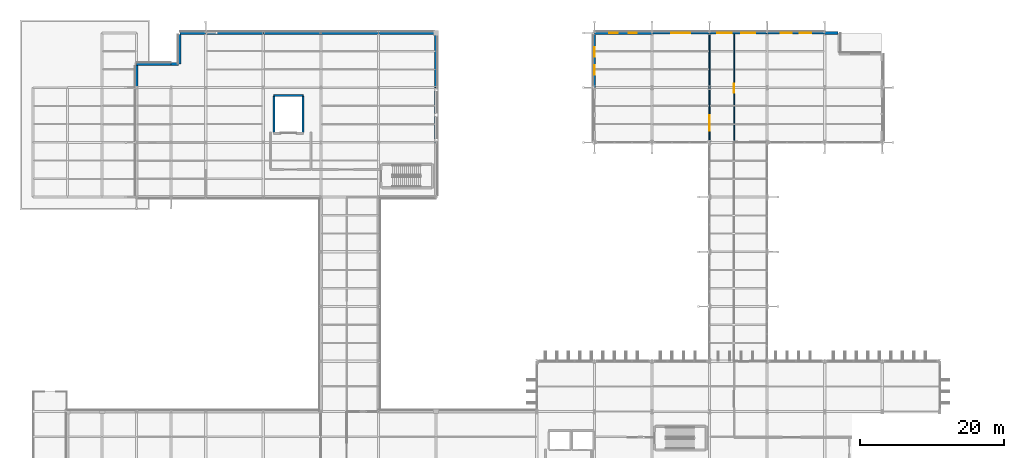
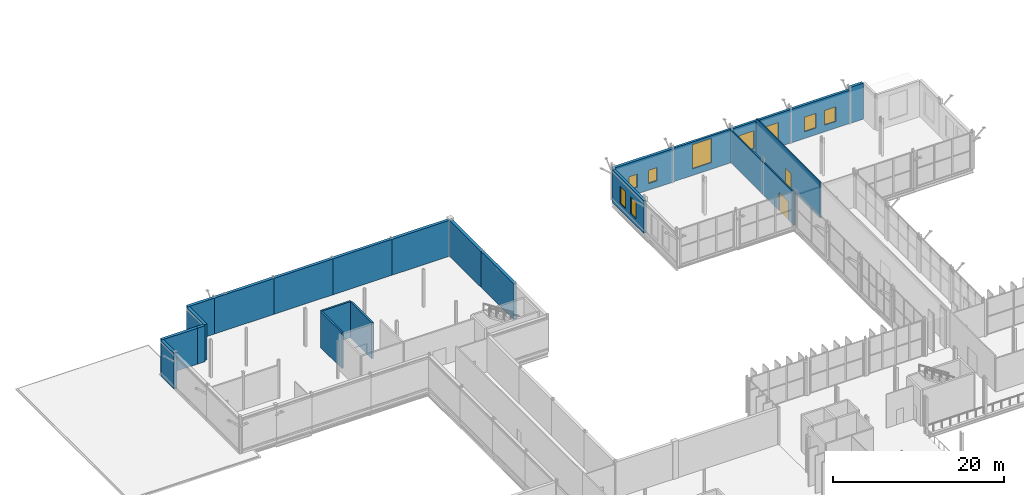
# One storey, part 129 of 147: 22 walls, 9 windows, 2 doors, 11 openings.
"""IFC4 building model written with IfcOpenShell, lengths in metres."""

from ifc_helpers import new_model, si_unit, direction, frame, frame_2d, origin, place, context, subcontext, project, spatial, rectangle, extrude, material, layer, layer_set, type_object, element, fill, save


model = new_model("IFC4")

# Units and contexts
model_context = context("Model", 3, precision=1e-05, world=origin(), true_north=direction((0.0, 1.0)))
body_context = subcontext(model_context, "Body", "Model", "MODEL_VIEW")
ifc_project = project(units=[si_unit("LENGTHUNIT", "METRE"), si_unit("AREAUNIT", "SQUARE_METRE"), si_unit("VOLUMEUNIT", "CUBIC_METRE"), si_unit("PLANEANGLEUNIT", "RADIAN"), si_unit("MASSUNIT", "GRAM", prefix="KILO")], contexts=[model_context])

# Site, building, storey
site_placement = place(None, origin())
site = spatial("IfcSite", under=ifc_project, at=site_placement, CompositionType="ELEMENT")
building_placement = place(site_placement, origin())
building = spatial("IfcBuilding", under=site, at=building_placement, Name="Vekula Escarpment Museum", CompositionType="ELEMENT")
storey_placement = place(building_placement, frame((0.0, 0.0, 7.800048828125)))
storey = spatial("IfcBuildingStorey", under=building, at=storey_placement, Name="L02", CompositionType="ELEMENT", Elevation=7.800048828125)

# Wall, opening, window
ifc_material_1 = material(Name="Inkisi arkosic sandstone masonry", Category="masonry")
ifc_layer_1 = layer(ifc_material_1, 0.300048828125)
ifc_layer_set_1 = layer_set([ifc_layer_1], Name="Inkisi arkosic sandstone masonry")
wall_type_1 = type_object("IfcWallType", Name="WL-ALM-300", PredefinedType="SOLIDWALL", material=ifc_layer_set_1)
wall_1_placement = place(storey_placement, frame((86.0, 136.0, 0.0), z_axis=(0.0, 0.0, 1.0), x_axis=(1.0, 0.0, 0.0)))
wall_1 = element("IfcWall", 1, at=wall_1_placement, inside=storey, type_object=wall_type_1, Name="Exterior Wall WL-EXT-L02-0451", PredefinedType="SOLIDWALL", context=body_context, shape_type="SweptSolid", body=[
    extrude(rectangle(XDim=8.0, YDim=0.300048828125, at=frame_2d((4.0, 0.0))), origin(), (0.0, 0.0, 1.0), 4.794921875),
])
opening_1_placement = place(wall_1_placement, frame((2.699951171875, 0.0, 0.949951171875)))
opening_1 = element("IfcOpeningElement", 2, at=opening_1_placement, cuts=wall_1, Name="Opening WN-28", PredefinedType="OPENING", context=body_context, shape_type="SweptSolid", body=[
    extrude(rectangle(XDim=2.60009765625, YDim=3.449951171875, at=frame_2d((1.300048828125, 1.72509765625))), frame((0.0, 0.159912109375, 0.0), z_axis=(0.0, -1.0, 0.0), x_axis=(1.0, 0.0, 0.0)), (0.0, 0.0, 1.0), 0.320068359375),
])
ifc_material_2 = material(Name="Double solar-control low-E glass", Category="glass")
window_type_1 = type_object("IfcWindowType", Name="WN-GAL-26x38", PartitioningType="TRIPLE_PANEL_VERTICAL", PredefinedType="WINDOW", material=ifc_material_2)
window_1_placement = place(opening_1_placement, origin())
window_1 = element("IfcWindow", 3, at=window_1_placement, inside=storey, type_object=window_type_1, Name="Window L02-0230", OverallHeight=3.449951171875, OverallWidth=2.60009765625, PartitioningType="SINGLE_PANEL", PredefinedType="WINDOW", context=body_context, shape_type="SweptSolid", body=[
    extrude(rectangle(XDim=2.60009765625, YDim=3.449951171875, at=frame_2d((1.300048828125, 1.72509765625))), frame((0.0, 0.030029296875, 0.0), z_axis=(0.0, -1.0, 0.0), x_axis=(1.0, 0.0, 0.0)), (0.0, 0.0, 1.0), 0.06005859375),
])
fill(opening_1, window_1)

# Wall, openings, windows
ifc_material_3 = material(Name="Inkisi arkosic sandstone masonry", Category="masonry")
ifc_layer_2 = layer(ifc_material_3, 0.320068359375)
ifc_layer_set_2 = layer_set([ifc_layer_2], Name="Inkisi arkosic sandstone masonry")
wall_type_2 = type_object("IfcWallType", Name="WL-ALM-320", PredefinedType="SOLIDWALL", material=ifc_layer_set_2)
wall_2_placement = place(storey_placement, frame((94.0, 136.0, 0.0), z_axis=(0.0, 0.0, 1.0), x_axis=(1.0, 0.0, 0.0)))
wall_2 = element("IfcWall", 4, at=wall_2_placement, inside=storey, type_object=wall_type_2, Name="Exterior Wall WL-EXT-L02-0450", PredefinedType="SOLIDWALL", context=body_context, shape_type="SweptSolid", body=[
    extrude(rectangle(XDim=8.0, YDim=0.320068359375, at=frame_2d((4.0, 0.0))), origin(), (0.0, 0.0, 1.0), 4.794921875),
])
opening_2_placement = place(wall_2_placement, frame((1.10009765625, 0.0, 0.949951171875)))
opening_2 = element("IfcOpeningElement", 5, at=opening_2_placement, cuts=wall_2, Name="Opening WN-26", PredefinedType="OPENING", context=body_context, shape_type="SweptSolid", body=[
    extrude(rectangle(XDim=1.949951171875, YDim=2.550048828125, at=frame_2d((0.97509765625, 1.27490234375))), frame((0.0, 0.169921875, 0.0), z_axis=(0.0, -1.0, 0.0), x_axis=(1.0, 0.0, 0.0)), (0.0, 0.0, 1.0), 0.340087890625),
])
opening_3_placement = place(wall_2_placement, frame((4.39990234375, 0.0, 0.949951171875)))
opening_3 = element("IfcOpeningElement", 6, at=opening_3_placement, cuts=wall_2, Name="Opening WN-26", PredefinedType="OPENING", context=body_context, shape_type="SweptSolid", body=[
    extrude(rectangle(XDim=1.949951171875, YDim=2.550048828125, at=frame_2d((0.97509765625, 1.27490234375))), frame((0.0, 0.169921875, 0.0), z_axis=(0.0, -1.0, 0.0), x_axis=(1.0, 0.0, 0.0)), (0.0, 0.0, 1.0), 0.340087890625),
])
ifc_material_4 = material(Name="Double solar-control low-E glass", Category="glass")
window_type_2 = type_object("IfcWindowType", Name="WN-GAL-19x25", PartitioningType="DOUBLE_PANEL_VERTICAL", PredefinedType="WINDOW", material=ifc_material_4)
window_2_placement = place(opening_2_placement, origin())
window_2 = element("IfcWindow", 7, at=window_2_placement, inside=storey, type_object=window_type_2, Name="Window L02-0228", OverallHeight=2.550048828125, OverallWidth=1.949951171875, PartitioningType="SINGLE_PANEL", PredefinedType="WINDOW", context=body_context, shape_type="SweptSolid", body=[
    extrude(rectangle(XDim=1.949951171875, YDim=2.550048828125, at=frame_2d((0.97509765625, 1.27490234375))), frame((0.0, 0.030029296875, 0.0), z_axis=(0.0, -1.0, 0.0), x_axis=(1.0, 0.0, 0.0)), (0.0, 0.0, 1.0), 0.06005859375),
])
fill(opening_2, window_2)
window_3_placement = place(opening_3_placement, origin())
window_3 = element("IfcWindow", 8, at=window_3_placement, inside=storey, type_object=window_type_2, Name="Window L02-0229", OverallHeight=2.550048828125, OverallWidth=1.949951171875, PartitioningType="SINGLE_PANEL", PredefinedType="WINDOW", context=body_context, shape_type="SweptSolid", body=[
    extrude(rectangle(XDim=1.949951171875, YDim=2.550048828125, at=frame_2d((0.97509765625, 1.27490234375))), frame((0.0, 0.030029296875, 0.0), z_axis=(0.0, -1.0, 0.0), x_axis=(1.0, 0.0, 0.0)), (0.0, 0.0, 1.0), 0.06005859375),
])
fill(opening_3, window_3)

ifc_material_5 = material(Name="Inkisi arkosic sandstone masonry", Category="masonry")
ifc_layer_3 = layer(ifc_material_5, 0.35009765625)
ifc_layer_set_3 = layer_set([ifc_layer_3], Name="Inkisi arkosic sandstone masonry")
wall_type_3 = type_object("IfcWallType", Name="WL-ALM-350", PredefinedType="SOLIDWALL", material=ifc_layer_set_3)
wall_3_placement = place(storey_placement, frame((102.0, 136.0, 0.0), z_axis=(0.0, 0.0, 1.0), x_axis=(1.0, 0.0, 0.0)))
wall_3 = element("IfcWall", 9, at=wall_3_placement, inside=storey, type_object=wall_type_3, Name="Exterior Wall WL-EXT-L02-0449", PredefinedType="SOLIDWALL", context=body_context, shape_type="SweptSolid", body=[
    extrude(rectangle(XDim=8.0, YDim=0.35009765625, at=frame_2d((4.0, 0.0))), origin(), (0.0, 0.0, 1.0), 4.794921875),
])
opening_4_placement = place(wall_3_placement, frame((1.8916015625, 0.0, 0.949951171875)))
opening_4 = element("IfcOpeningElement", 10, at=opening_4_placement, cuts=wall_3, Name="Opening WN-24", PredefinedType="OPENING", context=body_context, shape_type="SweptSolid", body=[
    extrude(rectangle(XDim=1.550048828125, YDim=2.10009765625, at=frame_2d((0.77490234375, 1.050048828125))), frame((0.0, 0.18505859375, 0.0), z_axis=(0.0, -1.0, 0.0), x_axis=(1.0, 0.0, 0.0)), (0.0, 0.0, 1.0), 0.3701171875),
])
opening_5_placement = place(wall_3_placement, frame((4.558349609375, 0.0, 0.949951171875)))
opening_5 = element("IfcOpeningElement", 11, at=opening_5_placement, cuts=wall_3, Name="Opening WN-24", PredefinedType="OPENING", context=body_context, shape_type="SweptSolid", body=[
    extrude(rectangle(XDim=1.550048828125, YDim=2.10009765625, at=frame_2d((0.77490234375, 1.050048828125))), frame((0.0, 0.18505859375, 0.0), z_axis=(0.0, -1.0, 0.0), x_axis=(1.0, 0.0, 0.0)), (0.0, 0.0, 1.0), 0.3701171875),
])
ifc_material_6 = material(Name="Double solar-control low-E glass", Category="glass")
window_type_3 = type_object("IfcWindowType", Name="WN-GAL-15x21", PartitioningType="SINGLE_PANEL", PredefinedType="WINDOW", material=ifc_material_6)
window_4_placement = place(opening_4_placement, origin())
window_4 = element("IfcWindow", 12, at=window_4_placement, inside=storey, type_object=window_type_3, Name="Window L02-0226", OverallHeight=2.10009765625, OverallWidth=1.550048828125, PartitioningType="SINGLE_PANEL", PredefinedType="WINDOW", context=body_context, shape_type="SweptSolid", body=[
    extrude(rectangle(XDim=1.550048828125, YDim=2.10009765625, at=frame_2d((0.77490234375, 1.050048828125))), frame((0.0, 0.030029296875, 0.0), z_axis=(0.0, -1.0, 0.0), x_axis=(1.0, 0.0, 0.0)), (0.0, 0.0, 1.0), 0.06005859375),
])
fill(opening_4, window_4)
window_5_placement = place(opening_5_placement, origin())
window_5 = element("IfcWindow", 13, at=window_5_placement, inside=storey, type_object=window_type_3, Name="Window L02-0227", OverallHeight=2.10009765625, OverallWidth=1.550048828125, PartitioningType="SINGLE_PANEL", PredefinedType="WINDOW", context=body_context, shape_type="SweptSolid", body=[
    extrude(rectangle(XDim=1.550048828125, YDim=2.10009765625, at=frame_2d((0.77490234375, 1.050048828125))), frame((0.0, 0.030029296875, 0.0), z_axis=(0.0, -1.0, 0.0), x_axis=(1.0, 0.0, 0.0)), (0.0, 0.0, 1.0), 0.06005859375),
])
fill(opening_5, window_5)

wall_4_placement = place(storey_placement, frame((78.0, 128.39990234375, 0.0), z_axis=(0.0, 0.0, 1.0), x_axis=(0.0, 1.0, 0.0)))
wall_4 = element("IfcWall", 14, at=wall_4_placement, inside=storey, type_object=wall_type_3, Name="Exterior Wall WL-EXT-L02-0453", PredefinedType="SOLIDWALL", context=body_context, shape_type="SweptSolid", body=[
    extrude(rectangle(XDim=7.406005859375, YDim=0.35009765625, at=frame_2d((3.703125, 0.0))), origin(), (0.0, 0.0, 1.0), 4.68505859375),
])
opening_6_placement = place(wall_4_placement, frame((1.793701171875, 0.0, 0.949951171875)))
opening_6 = element("IfcOpeningElement", 15, at=opening_6_placement, cuts=wall_4, Name="Opening WN-31", PredefinedType="OPENING", context=body_context, shape_type="SweptSolid", body=[
    extrude(rectangle(XDim=1.35009765625, YDim=2.449951171875, at=frame_2d((0.675048828125, 1.22509765625))), frame((0.0, 0.18505859375, 0.0), z_axis=(0.0, -1.0, 0.0), x_axis=(1.0, 0.0, 0.0)), (0.0, 0.0, 1.0), 0.3701171875),
])
opening_7_placement = place(wall_4_placement, frame((4.26220703125, 0.0, 0.949951171875)))
opening_7 = element("IfcOpeningElement", 16, at=opening_7_placement, cuts=wall_4, Name="Opening WN-31", PredefinedType="OPENING", context=body_context, shape_type="SweptSolid", body=[
    extrude(rectangle(XDim=1.35009765625, YDim=2.449951171875, at=frame_2d((0.675048828125, 1.22509765625))), frame((0.0, 0.18505859375, 0.0), z_axis=(0.0, -1.0, 0.0), x_axis=(1.0, 0.0, 0.0)), (0.0, 0.0, 1.0), 0.3701171875),
])
ifc_material_7 = material(Name="Double solar-control low-E glass", Category="glass")
window_type_4 = type_object("IfcWindowType", Name="WN-GAL-13x24", PartitioningType="SINGLE_PANEL", PredefinedType="WINDOW", material=ifc_material_7)
window_6_placement = place(opening_6_placement, origin())
window_6 = element("IfcWindow", 17, at=window_6_placement, inside=storey, type_object=window_type_4, Name="Window L02-0233", OverallHeight=2.449951171875, OverallWidth=1.35009765625, PartitioningType="SINGLE_PANEL", PredefinedType="WINDOW", context=body_context, shape_type="SweptSolid", body=[
    extrude(rectangle(XDim=1.35009765625, YDim=2.449951171875, at=frame_2d((0.675048828125, 1.22509765625))), frame((0.0, 0.030029296875, 0.0), z_axis=(0.0, -1.0, 0.0), x_axis=(1.0, 0.0, 0.0)), (0.0, 0.0, 1.0), 0.06005859375),
])
fill(opening_6, window_6)
window_7_placement = place(opening_7_placement, origin())
window_7 = element("IfcWindow", 18, at=window_7_placement, inside=storey, type_object=window_type_4, Name="Window L02-0234", OverallHeight=2.449951171875, OverallWidth=1.35009765625, PartitioningType="SINGLE_PANEL", PredefinedType="WINDOW", context=body_context, shape_type="SweptSolid", body=[
    extrude(rectangle(XDim=1.35009765625, YDim=2.449951171875, at=frame_2d((0.675048828125, 1.22509765625))), frame((0.0, 0.030029296875, 0.0), z_axis=(0.0, -1.0, 0.0), x_axis=(1.0, 0.0, 0.0)), (0.0, 0.0, 1.0), 0.06005859375),
])
fill(opening_7, window_7)

# Wall
ifc_material_8 = material(Name="Inkisi arkosic sandstone masonry", Category="masonry")
ifc_layer_4 = layer(ifc_material_8, 0.3798828125)
ifc_layer_set_4 = layer_set([ifc_layer_4], Name="Inkisi arkosic sandstone masonry")
wall_type_4 = type_object("IfcWallType", Name="WL-ALM-380", PredefinedType="SOLIDWALL", material=ifc_layer_set_4)
wall_5_placement = place(storey_placement, frame((110.0, 136.0, 0.0), z_axis=(0.0, 0.0, 1.0), x_axis=(1.0, 0.0, 0.0)))
element("IfcWall", 19, at=wall_5_placement, inside=storey, type_object=wall_type_4, Name="Exterior Wall WL-EXT-L02-0448", PredefinedType="SOLIDWALL", context=body_context, shape_type="SweptSolid", body=[
    extrude(rectangle(XDim=1.845947265625, YDim=0.3798828125, at=frame_2d((0.9228515625, 0.0))), origin(), (0.0, 0.0, 1.0), 5.14990234375),
])

# Wall, openings, windows
wall_6_placement = place(storey_placement, frame((78.0, 136.0, 0.0), z_axis=(0.0, 0.0, 1.0), x_axis=(1.0, 0.0, 0.0)))
wall_6 = element("IfcWall", 20, at=wall_6_placement, inside=storey, type_object=wall_type_4, Name="Exterior Wall WL-EXT-L02-0452", PredefinedType="SOLIDWALL", context=body_context, shape_type="SweptSolid", body=[
    extrude(rectangle(XDim=8.0, YDim=0.3798828125, at=frame_2d((4.0, 0.0))), origin(), (0.0, 0.0, 1.0), 4.794921875),
])
opening_8_placement = place(wall_6_placement, frame((2.091796875, 0.0, 0.949951171875)))
opening_8 = element("IfcOpeningElement", 21, at=opening_8_placement, cuts=wall_6, Name="Opening WN-29", PredefinedType="OPENING", context=body_context, shape_type="SweptSolid", body=[
    extrude(rectangle(XDim=1.14990234375, YDim=1.89990234375, at=frame_2d((0.574951171875, 0.949951171875))), frame((0.0, 0.199951171875, 0.0), z_axis=(0.0, -1.0, 0.0), x_axis=(1.0, 0.0, 0.0)), (0.0, 0.0, 1.0), 0.39990234375),
])
opening_9_placement = place(wall_6_placement, frame((4.75830078125, 0.0, 0.949951171875)))
opening_9 = element("IfcOpeningElement", 22, at=opening_9_placement, cuts=wall_6, Name="Opening WN-29", PredefinedType="OPENING", context=body_context, shape_type="SweptSolid", body=[
    extrude(rectangle(XDim=1.14990234375, YDim=1.89990234375, at=frame_2d((0.574951171875, 0.949951171875))), frame((0.0, 0.199951171875, 0.0), z_axis=(0.0, -1.0, 0.0), x_axis=(1.0, 0.0, 0.0)), (0.0, 0.0, 1.0), 0.39990234375),
])
ifc_material_9 = material(Name="Double solar-control low-E glass", Category="glass")
window_type_5 = type_object("IfcWindowType", Name="WN-GAL-11x19", PartitioningType="SINGLE_PANEL", PredefinedType="WINDOW", material=ifc_material_9)
window_8_placement = place(opening_8_placement, origin())
window_8 = element("IfcWindow", 23, at=window_8_placement, inside=storey, type_object=window_type_5, Name="Window L02-0231", OverallHeight=1.89990234375, OverallWidth=1.14990234375, PartitioningType="SINGLE_PANEL", PredefinedType="WINDOW", context=body_context, shape_type="SweptSolid", body=[
    extrude(rectangle(XDim=1.14990234375, YDim=1.89990234375, at=frame_2d((0.574951171875, 0.949951171875))), frame((0.0, 0.030029296875, 0.0), z_axis=(0.0, -1.0, 0.0), x_axis=(1.0, 0.0, 0.0)), (0.0, 0.0, 1.0), 0.06005859375),
])
fill(opening_8, window_8)
window_9_placement = place(opening_9_placement, origin())
window_9 = element("IfcWindow", 24, at=window_9_placement, inside=storey, type_object=window_type_5, Name="Window L02-0232", OverallHeight=1.89990234375, OverallWidth=1.14990234375, PartitioningType="SINGLE_PANEL", PredefinedType="WINDOW", context=body_context, shape_type="SweptSolid", body=[
    extrude(rectangle(XDim=1.14990234375, YDim=1.89990234375, at=frame_2d((0.574951171875, 0.949951171875))), frame((0.0, 0.030029296875, 0.0), z_axis=(0.0, -1.0, 0.0), x_axis=(1.0, 0.0, 0.0)), (0.0, 0.0, 1.0), 0.06005859375),
])
fill(opening_9, window_9)

# Walls
ifc_material_10 = material(Name="Concrete C35/45", Category="concrete")
ifc_layer_5 = layer(ifc_material_10, 0.39990234375)
ifc_layer_set_5 = layer_set([ifc_layer_5], Name="Concrete C35/45")
wall_type_5 = type_object("IfcWallType", Name="WL-ARC-400", PredefinedType="SOLIDWALL", material=ifc_layer_set_5)
wall_7_placement = place(storey_placement, frame((56.0, 128.39990234375, 0.0), z_axis=(0.0, 0.0, 1.0), x_axis=(0.0, -1.0, 0.0)))
element("IfcWall", 25, at=wall_7_placement, inside=storey, type_object=wall_type_5, Name="Exterior Wall WL-EXT-L02-0483", PredefinedType="SOLIDWALL", context=body_context, shape_type="SweptSolid", body=[
    extrude(rectangle(XDim=7.599853515625, YDim=0.39990234375, at=frame_2d((3.7998046875, 0.0))), origin(), (0.0, 0.0, 1.0), 5.14990234375),
])
wall_8_placement = place(storey_placement, frame((56.0, 136.0, 0.0), z_axis=(0.0, 0.0, 1.0), x_axis=(0.0, -1.0, 0.0)))
element("IfcWall", 26, at=wall_8_placement, inside=storey, type_object=wall_type_5, Name="Exterior Wall WL-EXT-L02-0484", PredefinedType="SOLIDWALL", context=body_context, shape_type="SweptSolid", body=[
    extrude(rectangle(XDim=7.60009765625, YDim=0.39990234375, at=frame_2d((3.800048828125, 0.0))), origin(), (0.0, 0.0, 1.0), 5.14990234375),
])
wall_9_placement = place(storey_placement, frame((48.0, 136.0, 0.0), z_axis=(0.0, 0.0, 1.0), x_axis=(1.0, 0.0, 0.0)))
element("IfcWall", 27, at=wall_9_placement, inside=storey, type_object=wall_type_5, Name="Exterior Wall WL-EXT-L02-0485", PredefinedType="SOLIDWALL", context=body_context, shape_type="SweptSolid", body=[
    extrude(rectangle(XDim=7.7958984375, YDim=0.39990234375, at=frame_2d((3.89794921875, 0.0))), origin(), (0.0, 0.0, 1.0), 5.14990234375),
])
for number, where, z_axis, x_axis, name in (
    (28, (40.0, 136.0, 0.0), (0.0, 0.0, 1.0), (1.0, 0.0, 0.0), "Exterior Wall WL-EXT-L02-0486"),
    (29, (32.0, 136.0, 0.0), (0.0, 0.0, 1.0), (1.0, 0.0, 0.0), "Exterior Wall WL-EXT-L02-0487"),
    (30, (24.0, 136.0, 0.0), (0.0, 0.0, 1.0), (1.0, 0.0, 0.0), "Exterior Wall WL-EXT-L02-0488"),
):
    element("IfcWall", number, at=place(storey_placement, frame(where, z_axis=z_axis, x_axis=x_axis)), inside=storey, type_object=wall_type_5, Name=name, PredefinedType="SOLIDWALL", context=body_context, shape_type="SweptSolid", body=[
        extrude(rectangle(XDim=8.0, YDim=0.39990234375, at=frame_2d((4.0, 0.0))), origin(), (0.0, 0.0, 1.0), 5.14990234375),
    ])
wall_10_placement = place(storey_placement, frame((20.39990234375, 136.0, 0.0), z_axis=(0.0, 0.0, 1.0), x_axis=(1.0, 0.0, 0.0)))
element("IfcWall", 31, at=wall_10_placement, inside=storey, type_object=wall_type_5, Name="Exterior Wall WL-EXT-L02-0489", PredefinedType="SOLIDWALL", context=body_context, shape_type="SweptSolid", body=[
    extrude(rectangle(XDim=3.60009765625, YDim=0.39990234375, at=frame_2d((1.800048828125, 0.0))), origin(), (0.0, 0.0, 1.0), 5.14990234375),
])
wall_11_placement = place(storey_placement, frame((20.39990234375, 131.66796875, 0.0), z_axis=(0.0, 0.0, 1.0), x_axis=(0.0, 1.0, 0.0)))
element("IfcWall", 32, at=wall_11_placement, inside=storey, type_object=wall_type_5, Name="Exterior Wall WL-EXT-L02-0490", PredefinedType="SOLIDWALL", context=body_context, shape_type="SweptSolid", body=[
    extrude(rectangle(XDim=4.1279296875, YDim=0.39990234375, at=frame_2d((2.06396484375, 0.0))), origin(), (0.0, 0.0, 1.0), 5.14990234375),
])
wall_12_placement = place(storey_placement, frame((19.199951171875, 131.66796875, 0.0), z_axis=(0.0, 0.0, 1.0), x_axis=(1.0, 0.0, 0.0)))
element("IfcWall", 33, at=wall_12_placement, inside=storey, type_object=wall_type_5, Name="Exterior Wall WL-EXT-L02-0491", PredefinedType="SOLIDWALL", context=body_context, shape_type="SweptSolid", body=[
    extrude(rectangle(XDim=0.99609375, YDim=0.39990234375, at=frame_2d((0.498046875, 0.0))), origin(), (0.0, 0.0, 1.0), 5.14990234375),
])
wall_13_placement = place(storey_placement, frame((14.39990234375, 131.66796875, 0.0), z_axis=(0.0, 0.0, 1.0), x_axis=(1.0, 0.0, 0.0)))
element("IfcWall", 34, at=wall_13_placement, inside=storey, type_object=wall_type_5, Name="Exterior Wall WL-EXT-L02-0492", PredefinedType="SOLIDWALL", context=body_context, shape_type="SweptSolid", body=[
    extrude(rectangle(XDim=4.800048828125, YDim=0.39990234375, at=frame_2d((2.39990234375, 0.0))), origin(), (0.0, 0.0, 1.0), 5.14990234375),
])
wall_14_placement = place(storey_placement, frame((14.39990234375, 128.39990234375, 0.0), z_axis=(0.0, 0.0, 1.0), x_axis=(0.0, 1.0, 0.0)))
element("IfcWall", 35, at=wall_14_placement, inside=storey, type_object=wall_type_5, Name="Exterior Wall WL-EXT-L02-0493", PredefinedType="SOLIDWALL", context=body_context, shape_type="SweptSolid", body=[
    extrude(rectangle(XDim=3.064208984375, YDim=0.39990234375, at=frame_2d((1.5322265625, 0.0))), origin(), (0.0, 0.0, 1.0), 5.14990234375),
])

# Wall, opening, door
ifc_material_11 = material(Name="Gypsum board dry-lined partition", Category="gypsum")
ifc_layer_6 = layer(ifc_material_11, 0.14990234375)
ifc_layer_set_6 = layer_set([ifc_layer_6], Name="Gypsum board dry-lined partition")
wall_type_6 = type_object("IfcWallType", Name="WL-PART-150", PredefinedType="PARTITIONING", material=ifc_layer_set_6)
wall_15_placement = place(storey_placement, frame((97.39990234375, 120.800048828125, 0.0), z_axis=(0.0, 0.0, 1.0), x_axis=(0.0, 1.0, 0.0)))
wall_15 = element("IfcWall", 36, at=wall_15_placement, inside=storey, type_object=wall_type_6, Name="Interior Partition WL-INT-L02-0008", PredefinedType="PARTITIONING", context=body_context, shape_type="SweptSolid", body=[
    extrude(rectangle(XDim=15.035888671875, YDim=0.14990234375, at=frame_2d((7.51806640625, 0.0))), origin(), (0.0, 0.0, 1.0), 5.14990234375),
])
opening_10_placement = place(wall_15_placement, frame((6.867919921875, 0.0, 0.0)))
opening_10 = element("IfcOpeningElement", 37, at=opening_10_placement, cuts=wall_15, Name="Opening DR-SM13", PredefinedType="OPENING", context=body_context, shape_type="SweptSolid", body=[
    extrude(rectangle(XDim=1.300048828125, YDim=2.25, at=frame_2d((0.64990234375, 1.125))), frame((0.0, 0.0849609375, 0.0), z_axis=(0.0, -1.0, 0.0), x_axis=(1.0, 0.0, 0.0)), (0.0, 0.0, 1.0), 0.169921875),
])
ifc_material_12 = material(Name="Acoustic seminar room door", Category="steel")
door_type_1 = type_object("IfcDoorType", Name="DR-SEM-1300x2250", OperationType="NOTDEFINED", PredefinedType="DOOR", material=ifc_material_12)
door_1_placement = place(opening_10_placement, origin())
door_1 = element("IfcDoor", 38, at=door_1_placement, inside=storey, type_object=door_type_1, Name="Interior Door L02-008", OperationType="SINGLE_SWING_RIGHT", OverallHeight=2.25, OverallWidth=1.300048828125, PredefinedType="DOOR", context=body_context, shape_type="SweptSolid", body=[
    extrude(rectangle(XDim=1.300048828125, YDim=2.25, at=frame_2d((0.64990234375, 1.125))), frame((0.0, 0.02490234375, 0.0), z_axis=(0.0, -1.0, 0.0), x_axis=(1.0, 0.0, 0.0)), (0.0, 0.0, 1.0), 0.050048828125),
])
fill(opening_10, door_1)

ifc_material_13 = material(Name="Gypsum board gallery partition", Category="gypsum")
ifc_layer_7 = layer(ifc_material_13, 0.159912109375)
ifc_layer_set_7 = layer_set([ifc_layer_7], Name="Gypsum board gallery partition")
wall_type_7 = type_object("IfcWallType", Name="WL-PART-160", PredefinedType="PARTITIONING", material=ifc_layer_set_7)
wall_16_placement = place(storey_placement, frame((94.0, 120.97900390625, 0.0), z_axis=(0.0, 0.0, 1.0), x_axis=(0.0, 1.0, 0.0)))
wall_16 = element("IfcWall", 39, at=wall_16_placement, inside=storey, type_object=wall_type_7, Name="Interior Partition WL-INT-L02-0007", PredefinedType="PARTITIONING", context=body_context, shape_type="SweptSolid", body=[
    extrude(rectangle(XDim=14.85693359375, YDim=0.159912109375, at=frame_2d((7.428466796875, 0.0))), origin(), (0.0, 0.0, 1.0), 4.68505859375),
])
opening_11_placement = place(wall_16_placement, frame((1.405029296875, 0.0, 0.0)))
opening_11 = element("IfcOpeningElement", 40, at=opening_11_placement, cuts=wall_16, Name="Opening DR-GL22", PredefinedType="OPENING", context=body_context, shape_type="SweptSolid", body=[
    extrude(rectangle(XDim=2.199951171875, YDim=2.60009765625, at=frame_2d((1.10009765625, 1.300048828125))), frame((0.0, 0.08984375, 0.0), z_axis=(0.0, -1.0, 0.0), x_axis=(1.0, 0.0, 0.0)), (0.0, 0.0, 1.0), 0.179931640625),
])
ifc_material_14 = material(Name="Double acoustic timber gallery door", Category="wood")
door_type_2 = type_object("IfcDoorType", Name="DR-GAL-2200x2600", OperationType="NOTDEFINED", PredefinedType="DOOR", material=ifc_material_14)
door_2_placement = place(opening_11_placement, origin())
door_2 = element("IfcDoor", 41, at=door_2_placement, inside=storey, type_object=door_type_2, Name="Interior Door L02-007", OperationType="SINGLE_SWING_LEFT", OverallHeight=2.60009765625, OverallWidth=2.199951171875, PredefinedType="DOOR", context=body_context, shape_type="SweptSolid", body=[
    extrude(rectangle(XDim=2.199951171875, YDim=2.60009765625, at=frame_2d((1.10009765625, 1.300048828125))), frame((0.0, 0.02490234375, 0.0), z_axis=(0.0, -1.0, 0.0), x_axis=(1.0, 0.0, 0.0)), (0.0, 0.0, 1.0), 0.050048828125),
])
fill(opening_11, door_2)

# Walls
ifc_material_15 = material(Name="Concrete C35/45", Category="concrete")
ifc_layer_8 = layer(ifc_material_15, 0.239990234375)
ifc_layer_set_8 = layer_set([ifc_layer_8], Name="Concrete C35/45")
wall_type_8 = type_object("IfcWallType", Name="WL-SHF-240", PredefinedType="SHEAR", material=ifc_layer_set_8)
wall_17_placement = place(storey_placement, frame((33.47998046875, 127.320068359375, 0.0), z_axis=(0.0, 0.0, 1.0), x_axis=(1.0, 0.0, 0.0)))
element("IfcWall", 42, at=wall_17_placement, inside=storey, type_object=wall_type_8, Name="Lift Shaft Wall GL-01 L02 N", PredefinedType="SHEAR", context=body_context, shape_type="SweptSolid", body=[
    extrude(rectangle(XDim=4.0400390625, YDim=0.239990234375, at=frame_2d((2.02001953125, 0.0))), origin(), (0.0, 0.0, 1.0), 5.14990234375),
])
for number, where, z_axis, x_axis, name in (
    (43, (33.47998046875, 122.2041015625, 0.0), (0.0, 0.0, 1.0), (0.0, 1.0, 0.0), "Lift Shaft Wall GL-01 L02 W"),
    (44, (37.52001953125, 122.2041015625, 0.0), (0.0, 0.0, 1.0), (0.0, 1.0, 0.0), "Lift Shaft Wall GL-01 L02 E"),
):
    element("IfcWall", number, at=place(storey_placement, frame(where, z_axis=z_axis, x_axis=x_axis)), inside=storey, type_object=wall_type_8, Name=name, PredefinedType="SHEAR", context=body_context, shape_type="SweptSolid", body=[
        extrude(rectangle(XDim=4.991943359375, YDim=0.239990234375, at=frame_2d((2.49609375, 0.0))), origin(), (0.0, 0.0, 1.0), 5.14990234375),
    ])

save(model, "model.ifc")
